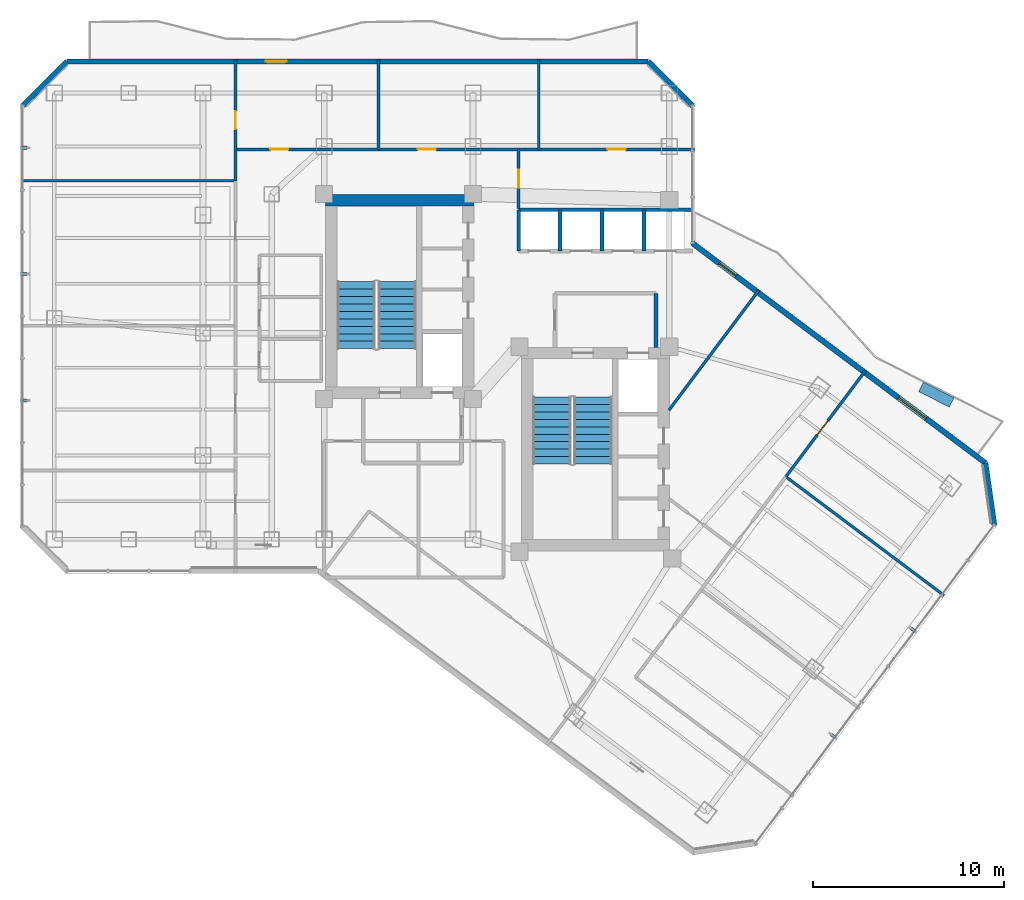
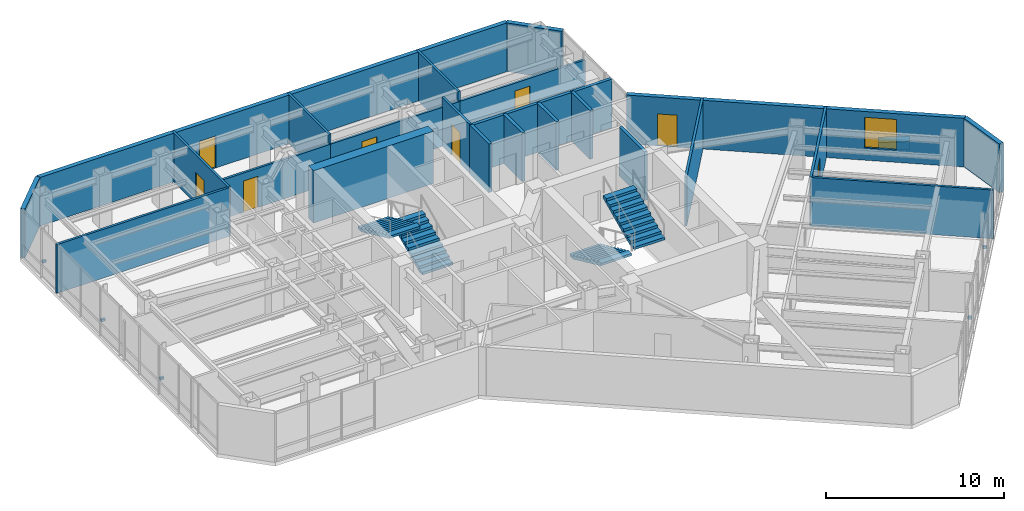
# One storey, part 24 of 28: 23 walls, 8 doors, 6 discrete accessories, 4 stair flights, 1 window, 9 openings, 2 elements without a shape of their own.
"""IFC4 building model written with IfcOpenShell, lengths in metres."""

from ifc_helpers import new_model, si_unit, direction, frame, frame_2d, origin, origin_2d, place, context, subcontext, project, spatial, polyline, rectangle, outline, extrude, material, layer, layer_set, type_object, element, fill, aggregate, save


model = new_model("IFC4")

# Units and contexts
model_context = context("Model", 3, precision=1e-05, world=origin(), true_north=direction((0.0, 1.0)))
body_context = subcontext(model_context, "Body", "Model", "MODEL_VIEW")
ifc_project = project(units=[si_unit("LENGTHUNIT", "METRE"), si_unit("AREAUNIT", "SQUARE_METRE"), si_unit("VOLUMEUNIT", "CUBIC_METRE"), si_unit("PLANEANGLEUNIT", "RADIAN"), si_unit("MASSUNIT", "GRAM", prefix="KILO")], contexts=[model_context])

# Site, building, storey
site_placement = place(None, origin())
site = spatial("IfcSite", under=ifc_project, at=site_placement, CompositionType="ELEMENT")
building_placement = place(site_placement, origin())
building = spatial("IfcBuilding", under=site, at=building_placement, Name="Hatsunagi Terrace Concourse", CompositionType="ELEMENT")
storey_placement = place(building_placement, frame((0.0, 0.0, 160.050048828125)))
storey = spatial("IfcBuildingStorey", under=building, at=storey_placement, Name="L42", CompositionType="ELEMENT", Elevation=160.050048828125)

# Walls
ifc_material_1 = material(Name="Concrete Fc48", Category="concrete")
ifc_layer_1 = layer(ifc_material_1, 0.60009765625)
ifc_layer_set_1 = layer_set([ifc_layer_1], Name="CoreShearWall_Fc48_600")
wall_type_1 = type_object("IfcWallType", Name="CoreShearWall_Fc48_600", PredefinedType="SHEAR", material=ifc_layer_set_1)
wall_1_placement = place(storey_placement, frame((25.6201171875, 42.969970703125, 0.0), z_axis=(0.0, 0.0, 1.0), x_axis=(1.0, 0.0, 0.0)))
element("IfcWall", 1, at=wall_1_placement, inside=storey, type_object=wall_type_1, Name="Core A Shear Wall N L42", PredefinedType="SHEAR", context=body_context, shape_type="SweptSolid", body=[
    extrude(rectangle(XDim=7.77978515625, YDim=0.60009765625, at=frame_2d((3.889892578125, 0.0))), origin(), (0.0, 0.0, 1.0), 3.599853515625),
])
ifc_material_2 = material(Name="Acoustic mineral board", Category="gypsum")
ifc_layer_2 = layer(ifc_material_2, 0.14990234375)
ifc_layer_set_2 = layer_set([ifc_layer_2], Name="PartitionWall_EI60_150")
wall_type_2 = type_object("IfcWallType", Name="PartitionWall_EI60_150", PredefinedType="PARTITIONING", material=ifc_layer_set_2)
wall_2_placement = place(storey_placement, frame((9.639892578125, 44.0, 0.0), z_axis=(0.0, 0.0, 1.0), x_axis=(1.0, 0.0, 0.0)))
element("IfcWall", 2, at=wall_2_placement, inside=storey, type_object=wall_type_2, Name="Interior Partition IW-L42-038", PredefinedType="PARTITIONING", context=body_context, shape_type="SweptSolid", body=[
    extrude(rectangle(XDim=11.260009765625, YDim=0.14990234375, at=frame_2d((5.6298828125, 0.0))), origin(), (0.0, 0.0, 1.0), 3.349853515625),
])

# Wall, opening, door
wall_3_placement = place(storey_placement, frame((20.89990234375, 44.0, 0.0), z_axis=(0.0, 0.0, 1.0), x_axis=(0.0, 1.0, 0.0)))
wall_3 = element("IfcWall", 3, at=wall_3_placement, inside=storey, type_object=wall_type_2, Name="Interior Partition IW-L42-040", PredefinedType="PARTITIONING", context=body_context, shape_type="SweptSolid", body=[
    extrude(rectangle(XDim=6.360107421875, YDim=0.14990234375, at=frame_2d((3.18017578125, 0.0))), origin(), (0.0, 0.0, 1.0), 3.349853515625),
])
opening_1_placement = place(wall_3_placement, frame((2.705078125, 0.0, 0.0)))
opening_1 = element("IfcOpeningElement", 4, at=opening_1_placement, cuts=wall_3, Name="Opening DR-095", PredefinedType="OPENING", context=body_context, shape_type="SweptSolid", body=[
    extrude(rectangle(XDim=0.949951171875, YDim=2.14990234375, at=frame_2d((0.47509765625, 1.074951171875))), frame((0.0, 0.0849609375, 0.0), z_axis=(0.0, -1.0, 0.0), x_axis=(1.0, 0.0, 0.0)), (0.0, 0.0, 1.0), 0.169921875),
])
ifc_material_3 = material(Name="Hardwood timber", Category="wood")
door_type_1 = type_object("IfcDoorType", Name="InteriorSuiteDoor_EI30_950", OperationType="NOTDEFINED", PredefinedType="DOOR", material=ifc_material_3)
door_1_placement = place(opening_1_placement, origin())
door_1 = element("IfcDoor", 5, at=door_1_placement, inside=storey, type_object=door_type_1, Name="Meeting Room L42-OW4 Door", OperationType="SINGLE_SWING_RIGHT", OverallHeight=2.14990234375, OverallWidth=0.949951171875, PredefinedType="DOOR", context=body_context, shape_type="SweptSolid", body=[
    extrude(rectangle(XDim=0.949951171875, YDim=2.14990234375, at=frame_2d((0.47509765625, 1.074951171875))), frame((0.0, 0.02490234375, 0.0), z_axis=(0.0, -1.0, 0.0), x_axis=(1.0, 0.0, 0.0)), (0.0, 0.0, 1.0), 0.050048828125),
])
fill(opening_1, door_1)

wall_4_placement = place(storey_placement, frame((20.89990234375, 45.64990234375, 0.0), z_axis=(0.0, 0.0, 1.0), x_axis=(1.0, 0.0, 0.0)))
wall_4 = element("IfcWall", 6, at=wall_4_placement, inside=storey, type_object=wall_type_2, Name="Interior Partition IW-L42-041", PredefinedType="PARTITIONING", context=body_context, shape_type="SweptSolid", body=[
    extrude(rectangle(XDim=7.5, YDim=0.14990234375, at=frame_2d((3.75, 0.0))), origin(), (0.0, 0.0, 1.0), 2.695068359375),
])
opening_2_placement = place(wall_4_placement, frame((1.826904296875, 0.0, 0.0)))
opening_2 = element("IfcOpeningElement", 7, at=opening_2_placement, cuts=wall_4, Name="Opening DR-095", PredefinedType="OPENING", context=body_context, shape_type="SweptSolid", body=[
    extrude(rectangle(XDim=0.949951171875, YDim=2.14990234375, at=frame_2d((0.47509765625, 1.074951171875))), frame((0.0, 0.0849609375, 0.0), z_axis=(0.0, -1.0, 0.0), x_axis=(1.0, 0.0, 0.0)), (0.0, 0.0, 1.0), 0.169921875),
])
door_2_placement = place(opening_2_placement, origin())
door_2 = element("IfcDoor", 8, at=door_2_placement, inside=storey, type_object=door_type_1, Name="Boardroom L42-ON1 Door", OperationType="SINGLE_SWING_LEFT", OverallHeight=2.14990234375, OverallWidth=0.949951171875, PredefinedType="DOOR", context=body_context, shape_type="SweptSolid", body=[
    extrude(rectangle(XDim=0.949951171875, YDim=2.14990234375, at=frame_2d((0.47509765625, 1.074951171875))), frame((0.0, 0.02490234375, 0.0), z_axis=(0.0, -1.0, 0.0), x_axis=(1.0, 0.0, 0.0)), (0.0, 0.0, 1.0), 0.050048828125),
])
fill(opening_2, door_2)

# Wall
wall_5_placement = place(storey_placement, frame((28.39990234375, 45.64990234375, 0.0), z_axis=(0.0, 0.0, 1.0), x_axis=(0.0, 1.0, 0.0)))
element("IfcWall", 9, at=wall_5_placement, inside=storey, type_object=wall_type_2, Name="Interior Partition IW-L42-042", PredefinedType="PARTITIONING", context=body_context, shape_type="SweptSolid", body=[
    extrude(rectangle(XDim=4.710205078125, YDim=0.14990234375, at=frame_2d((2.35498046875, 0.0))), origin(), (0.0, 0.0, 1.0), 3.349853515625),
])

# Wall, opening, door
wall_6_placement = place(storey_placement, frame((28.39990234375, 45.64990234375, 0.0), z_axis=(0.0, 0.0, 1.0), x_axis=(1.0, 0.0, 0.0)))
wall_6 = element("IfcWall", 10, at=wall_6_placement, inside=storey, type_object=wall_type_2, Name="Interior Partition IW-L42-043", PredefinedType="PARTITIONING", context=body_context, shape_type="SweptSolid", body=[
    extrude(rectangle(XDim=8.400146484375, YDim=0.14990234375, at=frame_2d((4.2001953125, 0.0))), origin(), (0.0, 0.0, 1.0), 2.695068359375),
])
opening_3_placement = place(wall_6_placement, frame((2.052001953125, 0.0, 0.0)))
opening_3 = element("IfcOpeningElement", 11, at=opening_3_placement, cuts=wall_6, Name="Opening DR-095", PredefinedType="OPENING", context=body_context, shape_type="SweptSolid", body=[
    extrude(rectangle(XDim=0.949951171875, YDim=2.14990234375, at=frame_2d((0.47509765625, 1.074951171875))), frame((0.0, 0.0849609375, 0.0), z_axis=(0.0, -1.0, 0.0), x_axis=(1.0, 0.0, 0.0)), (0.0, 0.0, 1.0), 0.169921875),
])
door_3_placement = place(opening_3_placement, origin())
door_3 = element("IfcDoor", 12, at=door_3_placement, inside=storey, type_object=door_type_1, Name="Collaboration Lounge L42-ON2 Door", OperationType="SINGLE_SWING_RIGHT", OverallHeight=2.14990234375, OverallWidth=0.949951171875, PredefinedType="DOOR", context=body_context, shape_type="SweptSolid", body=[
    extrude(rectangle(XDim=0.949951171875, YDim=2.14990234375, at=frame_2d((0.47509765625, 1.074951171875))), frame((0.0, 0.02490234375, 0.0), z_axis=(0.0, -1.0, 0.0), x_axis=(1.0, 0.0, 0.0)), (0.0, 0.0, 1.0), 0.050048828125),
])
fill(opening_3, door_3)

# Wall
wall_7_placement = place(storey_placement, frame((36.800048828125, 45.64990234375, 0.0), z_axis=(0.0, 0.0, 1.0), x_axis=(0.0, 1.0, 0.0)))
element("IfcWall", 13, at=wall_7_placement, inside=storey, type_object=wall_type_2, Name="Interior Partition IW-L42-044", PredefinedType="PARTITIONING", context=body_context, shape_type="SweptSolid", body=[
    extrude(rectangle(XDim=4.710205078125, YDim=0.14990234375, at=frame_2d((2.35498046875, 0.0))), origin(), (0.0, 0.0, 1.0), 3.349853515625),
])

# Wall, opening, door
wall_8_placement = place(storey_placement, frame((36.800048828125, 45.64990234375, 0.0), z_axis=(0.0, 0.0, 1.0), x_axis=(1.0, 0.0, 0.0)))
wall_8 = element("IfcWall", 14, at=wall_8_placement, inside=storey, type_object=wall_type_2, Name="Interior Partition IW-L42-045", PredefinedType="PARTITIONING", context=body_context, shape_type="SweptSolid", body=[
    extrude(rectangle(XDim=8.159912109375, YDim=0.14990234375, at=frame_2d((4.080078125, 0.0))), origin(), (0.0, 0.0, 1.0), 2.695068359375),
])
opening_4_placement = place(wall_8_placement, frame((3.60498046875, 0.0, 0.0)))
opening_4 = element("IfcOpeningElement", 15, at=opening_4_placement, cuts=wall_8, Name="Opening DR-095", PredefinedType="OPENING", context=body_context, shape_type="SweptSolid", body=[
    extrude(rectangle(XDim=0.949951171875, YDim=2.14990234375, at=frame_2d((0.47509765625, 1.074951171875))), frame((0.0, 0.0849609375, 0.0), z_axis=(0.0, -1.0, 0.0), x_axis=(1.0, 0.0, 0.0)), (0.0, 0.0, 1.0), 0.169921875),
])
door_4_placement = place(opening_4_placement, origin())
door_4 = element("IfcDoor", 16, at=door_4_placement, inside=storey, type_object=door_type_1, Name="Boardroom L42-ON3 Door", OperationType="SINGLE_SWING_RIGHT", OverallHeight=2.14990234375, OverallWidth=0.949951171875, PredefinedType="DOOR", context=body_context, shape_type="SweptSolid", body=[
    extrude(rectangle(XDim=0.949951171875, YDim=2.14990234375, at=frame_2d((0.47509765625, 1.074951171875))), frame((0.0, 0.02490234375, 0.0), z_axis=(0.0, -1.0, 0.0), x_axis=(1.0, 0.0, 0.0)), (0.0, 0.0, 1.0), 0.050048828125),
])
fill(opening_4, door_4)

# Wall
wall_9_placement = place(storey_placement, frame((49.760009765625, 28.47998046875, 0.0), z_axis=(0.0, 0.0, 1.0), x_axis=(0.8, -0.6, 0.0)))
element("IfcWall", 17, at=wall_9_placement, inside=storey, type_object=wall_type_2, Name="Interior Partition IW-L42-049", PredefinedType="PARTITIONING", context=body_context, shape_type="SweptSolid", body=[
    extrude(rectangle(XDim=10.360107421875, YDim=0.14990234375, at=frame_2d((5.18017578125, 0.0))), origin(), (0.0, 0.0, 1.0), 3.349853515625),
])

# Wall, opening, door
wall_10_placement = place(storey_placement, frame((49.760009765625, 28.47998046875, 0.0), z_axis=(0.0, 0.0, 1.0), x_axis=(0.599994387644, 0.800004209236, 0.0)))
wall_10 = element("IfcWall", 18, at=wall_10_placement, inside=storey, type_object=wall_type_2, Name="Interior Partition IW-L42-051", PredefinedType="PARTITIONING", context=body_context, shape_type="SweptSolid", body=[
    extrude(rectangle(XDim=6.960205078125, YDim=0.14990234375, at=frame_2d((3.47998046875, 0.0))), origin(), (0.0, 0.0, 1.0), 3.349853515625),
])
opening_5_placement = place(wall_10_placement, frame((2.742919921875, 0.0, 0.0)))
opening_5 = element("IfcOpeningElement", 19, at=opening_5_placement, cuts=wall_10, Name="Opening DR-095", PredefinedType="OPENING", context=body_context, shape_type="SweptSolid", body=[
    extrude(rectangle(XDim=0.949951171875, YDim=2.14990234375, at=frame_2d((0.47509765625, 1.074951171875))), frame((0.0, 0.0849609375, 0.0), z_axis=(0.0, -1.0, 0.0), x_axis=(1.0, 0.0, 0.0)), (0.0, 0.0, 1.0), 0.169921875),
])
door_5_placement = place(opening_5_placement, origin())
door_5 = element("IfcDoor", 20, at=door_5_placement, inside=storey, type_object=door_type_1, Name="Research Focus Suite L42-OSE3 Door", OperationType="SINGLE_SWING_RIGHT", OverallHeight=2.14990234375, OverallWidth=0.949951171875, PredefinedType="DOOR", context=body_context, shape_type="SweptSolid", body=[
    extrude(rectangle(XDim=0.949951171875, YDim=2.14990234375, at=frame_2d((0.47509765625, 1.074951171875))), frame((0.0, 0.02490234375, 0.0), z_axis=(0.0, -1.0, 0.0), x_axis=(1.0, 0.0, 0.0)), (0.0, 0.0, 1.0), 0.050048828125),
])
fill(opening_5, door_5)

# Wall
wall_11_placement = place(storey_placement, frame((43.6298828125, 31.972900390625, 0.0), z_axis=(0.0, 0.0, 1.0), x_axis=(0.599975099311, 0.800018674911, 0.0)))
element("IfcWall", 21, at=wall_11_placement, inside=storey, type_object=wall_type_2, Name="Interior Partition IW-L42-053", PredefinedType="PARTITIONING", context=body_context, shape_type="SweptSolid", body=[
    extrude(rectangle(XDim=7.84375, YDim=0.14990234375, at=frame_2d((3.921875, 0.0))), origin(), (0.0, 0.0, 1.0), 3.349853515625),
])

# Wall, opening, door
wall_12_placement = place(storey_placement, frame((35.75, 42.550048828125, 0.0), z_axis=(0.0, 0.0, 1.0), x_axis=(0.0, 1.0, 0.0)))
wall_12 = element("IfcWall", 22, at=wall_12_placement, inside=storey, type_object=wall_type_2, Name="Interior Partition IW-L42-054", PredefinedType="PARTITIONING", context=body_context, shape_type="SweptSolid", body=[
    extrude(rectangle(XDim=3.099853515625, YDim=0.14990234375, at=frame_2d((1.5498046875, 0.0))), origin(), (0.0, 0.0, 1.0), 3.349853515625),
])
opening_6_placement = place(wall_12_placement, frame((1.074951171875, 0.0, 0.0)))
opening_6 = element("IfcOpeningElement", 23, at=opening_6_placement, cuts=wall_12, Name="Opening DR-095", PredefinedType="OPENING", context=body_context, shape_type="SweptSolid", body=[
    extrude(rectangle(XDim=0.949951171875, YDim=2.14990234375, at=frame_2d((0.47509765625, 1.074951171875))), frame((0.0, 0.0849609375, 0.0), z_axis=(0.0, -1.0, 0.0), x_axis=(1.0, 0.0, 0.0)), (0.0, 0.0, 1.0), 0.169921875),
])
door_6_placement = place(opening_6_placement, origin())
door_6 = element("IfcDoor", 24, at=door_6_placement, inside=storey, type_object=door_type_1, Name="Executive Briefing Room L42-ONEB Door", OperationType="SINGLE_SWING_RIGHT", OverallHeight=2.14990234375, OverallWidth=0.949951171875, PredefinedType="DOOR", context=body_context, shape_type="SweptSolid", body=[
    extrude(rectangle(XDim=0.949951171875, YDim=2.14990234375, at=frame_2d((0.47509765625, 1.074951171875))), frame((0.0, 0.02490234375, 0.0), z_axis=(0.0, -1.0, 0.0), x_axis=(1.0, 0.0, 0.0)), (0.0, 0.0, 1.0), 0.050048828125),
])
fill(opening_6, door_6)

# Walls
ifc_material_4 = material(Name="Acoustic mineral board", Category="gypsum")
ifc_layer_3 = layer(ifc_material_4, 0.199951171875)
ifc_layer_set_3 = layer_set([ifc_layer_3], Name="ShaftWall_EI120_200")
wall_type_3 = type_object("IfcWallType", Name="ShaftWall_EI120_200", PredefinedType="STANDARD", material=ifc_layer_set_3)
wall_13_placement = place(storey_placement, frame((42.949951171875, 35.27001953125, 0.0), z_axis=(0.0, 0.0, 1.0), x_axis=(0.0, 1.0, 0.0)))
element("IfcWall", 25, at=wall_13_placement, inside=storey, type_object=wall_type_3, Name="Interior Partition IW-L42-011", PredefinedType="STANDARD", context=body_context, shape_type="SweptSolid", body=[
    extrude(rectangle(XDim=2.830078125, YDim=0.199951171875, at=frame_2d((1.4150390625, 0.0))), origin(), (0.0, 0.0, 1.0), 3.349853515625),
])
wall_14_placement = place(storey_placement, frame((35.75, 42.47998046875, 0.0), z_axis=(0.0, 0.0, 1.0), x_axis=(1.0, 0.0, 0.0)))
element("IfcWall", 26, at=wall_14_placement, inside=storey, type_object=wall_type_3, Name="Interior Partition IW-L42-013", PredefinedType="STANDARD", context=body_context, shape_type="SweptSolid", body=[
    extrude(rectangle(XDim=9.110107421875, YDim=0.199951171875, at=frame_2d((4.55517578125, 0.0))), origin(), (0.0, 0.0, 1.0), 3.349853515625),
])
for number, where, z_axis, x_axis, name in (
    (27, (35.75, 40.320068359375, 0.0), (0.0, 0.0, 1.0), (0.0, 1.0, 0.0), "Interior Partition IW-L42-014"),
    (28, (37.919921875, 40.320068359375, 0.0), (0.0, 0.0, 1.0), (0.0, 1.0, 0.0), "Interior Partition IW-L42-015"),
    (29, (40.1201171875, 40.320068359375, 0.0), (0.0, 0.0, 1.0), (0.0, 1.0, 0.0), "Interior Partition IW-L42-016"),
    (30, (42.320068359375, 40.320068359375, 0.0), (0.0, 0.0, 1.0), (0.0, 1.0, 0.0), "Interior Partition IW-L42-017"),
):
    element("IfcWall", number, at=place(storey_placement, frame(where, z_axis=z_axis, x_axis=x_axis)), inside=storey, type_object=wall_type_3, Name=name, PredefinedType="STANDARD", context=body_context, shape_type="SweptSolid", body=[
        extrude(rectangle(XDim=2.159912109375, YDim=0.199951171875, at=frame_2d((1.080078125, 0.0))), origin(), (0.0, 0.0, 1.0), 3.349853515625),
    ])

# Wall, openings, door, window
ifc_material_5 = material(Name="Autoclaved Lightweight Concrete and Terracotta Cladding", Category="masonry")
ifc_layer_4 = layer(ifc_material_5, 0.280029296875)
ifc_layer_set_4 = layer_set([ifc_layer_4], Name="TerracottaSpandrelWall_280")
wall_type_4 = type_object("IfcWallType", Name="TerracottaSpandrelWall_280", PredefinedType="STANDARD", material=ifc_layer_set_4)
wall_15_placement = place(storey_placement, frame((44.860107421875, 40.72998046875, 0.0), z_axis=(0.0, 0.0, 1.0), x_axis=(0.800007624502, -0.599989833863, 0.0)))
wall_15 = element("IfcWall", 31, at=wall_15_placement, inside=storey, type_object=wall_type_4, Name="Exterior Spandrel Wall EW-L42-01", PredefinedType="STANDARD", context=body_context, shape_type="SweptSolid", body=[
    extrude(rectangle(XDim=19.212158203125, YDim=0.280029296875, at=frame_2d((9.60595703125, 0.0))), origin(), (0.0, 0.0, 1.0), 3.349853515625),
])
opening_7_placement = place(wall_15_placement, frame((1.7548828125, 0.0, 0.0)))
opening_7 = element("IfcOpeningElement", 32, at=opening_7_placement, cuts=wall_15, Name="Opening BD-01", PredefinedType="OPENING", context=body_context, shape_type="SweptSolid", body=[
    extrude(rectangle(XDim=1.10009765625, YDim=2.199951171875, at=frame_2d((0.550048828125, 1.10009765625))), frame((0.0, 0.14990234375, 0.0), z_axis=(0.0, -1.0, 0.0), x_axis=(1.0, 0.0, 0.0)), (0.0, 0.0, 1.0), 0.300048828125),
])
opening_8_placement = place(wall_15_placement, frame((13.509033203125, 0.0, 0.85009765625)))
opening_8 = element("IfcOpeningElement", 33, at=opening_8_placement, cuts=wall_15, Name="Opening WIN-03", PredefinedType="OPENING", context=body_context, shape_type="SweptSolid", body=[
    extrude(rectangle(XDim=1.800048828125, YDim=2.10009765625, at=frame_2d((0.89990234375, 1.050048828125))), frame((0.0, 0.14990234375, 0.0), z_axis=(0.0, -1.0, 0.0), x_axis=(1.0, 0.0, 0.0)), (0.0, 0.0, 1.0), 0.300048828125),
])
ifc_material_6 = material(Name="Galvanised Steel and Laminated Safety Glass", Category="steel")
door_type_2 = type_object("IfcDoorType", Name="BalconyTerraceAccessDoor_1100x2200", OperationType="SINGLE_SWING_LEFT", PredefinedType="DOOR", material=ifc_material_6)
door_7_placement = place(opening_7_placement, origin())
door_7 = element("IfcDoor", 34, at=door_7_placement, inside=storey, type_object=door_type_2, Name="Engawa Balcony Door L42-BSE", OperationType="SINGLE_SWING_LEFT", OverallHeight=2.199951171875, OverallWidth=1.10009765625, PredefinedType="DOOR", context=body_context, shape_type="SweptSolid", body=[
    extrude(rectangle(XDim=1.10009765625, YDim=2.199951171875, at=frame_2d((0.550048828125, 1.10009765625))), frame((0.0, 0.02490234375, 0.0), z_axis=(0.0, -1.0, 0.0), x_axis=(1.0, 0.0, 0.0)), (0.0, 0.0, 1.0), 0.050048828125),
])
fill(opening_7, door_7)
ifc_material_7 = material(Name="Thermally Broken Aluminium and Low-E Triple Glazing", Category="aluminium")
window_type = type_object("IfcWindowType", Name="OfficeCornerFeatureWindow_1800x2100", PartitioningType="SINGLE_PANEL", PredefinedType="WINDOW", material=ifc_material_7)
window_placement = place(opening_8_placement, origin())
window = element("IfcWindow", 35, at=window_placement, inside=storey, type_object=window_type, Name="Balcony Daylighting Window L42-01-2", OverallHeight=2.10009765625, OverallWidth=1.800048828125, PartitioningType="SINGLE_PANEL", PredefinedType="WINDOW", context=body_context, shape_type="SweptSolid", body=[
    extrude(rectangle(XDim=1.800048828125, YDim=2.10009765625, at=frame_2d((0.89990234375, 1.050048828125))), frame((0.0, 0.030029296875, 0.0), z_axis=(0.0, -1.0, 0.0), x_axis=(1.0, 0.0, 0.0)), (0.0, 0.0, 1.0), 0.06005859375),
])
fill(opening_8, window)

# Walls
wall_16_placement = place(storey_placement, frame((60.22998046875, 29.202880859375, 0.0), z_axis=(0.0, 0.0, 1.0), x_axis=(0.141296221922, -0.989967361922, 0.0)))
element("IfcWall", 36, at=wall_16_placement, inside=storey, type_object=wall_type_4, Name="Exterior Spandrel Wall EW-L42-02", PredefinedType="STANDARD", context=body_context, shape_type="SweptSolid", body=[
    extrude(rectangle(XDim=3.27783203125, YDim=0.280029296875, at=frame_2d((1.638916015625, 0.0))), origin(), (0.0, 0.0, 1.0), 3.349853515625),
])
wall_17_placement = place(storey_placement, frame((9.739990234375, 47.94189453125, 0.0), z_axis=(0.0, 0.0, 1.0), x_axis=(0.707106781187, 0.707106781187, 0.0)))
element("IfcWall", 37, at=wall_17_placement, inside=storey, type_object=wall_type_4, Name="Exterior Spandrel Wall EW-L42-10", PredefinedType="STANDARD", context=body_context, shape_type="SweptSolid", body=[
    extrude(rectangle(XDim=3.2783203125, YDim=0.280029296875, at=frame_2d((1.63916015625, 0.0))), origin(), (0.0, 0.0, 1.0), 3.349853515625),
])

# Wall, opening, door
wall_18_placement = place(storey_placement, frame((12.05810546875, 50.260009765625, 0.0), z_axis=(0.0, 0.0, 1.0), x_axis=(1.0, 0.0, 0.0)))
wall_18 = element("IfcWall", 38, at=wall_18_placement, inside=storey, type_object=wall_type_4, Name="Exterior Spandrel Wall EW-L42-11", PredefinedType="STANDARD", context=body_context, shape_type="SweptSolid", body=[
    extrude(rectangle(XDim=30.48388671875, YDim=0.280029296875, at=frame_2d((15.241943359375, 0.0))), origin(), (0.0, 0.0, 1.0), 3.349853515625),
])
opening_9_placement = place(wall_18_placement, frame((10.424072265625, 0.0, 0.0)))
opening_9 = element("IfcOpeningElement", 39, at=opening_9_placement, cuts=wall_18, Name="Opening BD-01", PredefinedType="OPENING", context=body_context, shape_type="SweptSolid", body=[
    extrude(rectangle(XDim=1.10009765625, YDim=2.199951171875, at=frame_2d((0.550048828125, 1.10009765625))), frame((0.0, 0.14990234375, 0.0), z_axis=(0.0, -1.0, 0.0), x_axis=(1.0, 0.0, 0.0)), (0.0, 0.0, 1.0), 0.300048828125),
])
door_8_placement = place(opening_9_placement, origin())
door_8 = element("IfcDoor", 40, at=door_8_placement, inside=storey, type_object=door_type_2, Name="Engawa Balcony Door L42-BN", OperationType="SINGLE_SWING_RIGHT", OverallHeight=2.199951171875, OverallWidth=1.10009765625, PredefinedType="DOOR", context=body_context, shape_type="SweptSolid", body=[
    extrude(rectangle(XDim=1.10009765625, YDim=2.199951171875, at=frame_2d((0.550048828125, 1.10009765625))), frame((0.0, 0.02490234375, 0.0), z_axis=(0.0, -1.0, 0.0), x_axis=(1.0, 0.0, 0.0)), (0.0, 0.0, 1.0), 0.050048828125),
])
fill(opening_9, door_8)

# Wall
wall_19_placement = place(storey_placement, frame((42.5419921875, 50.260009765625, 0.0), z_axis=(0.0, 0.0, 1.0), x_axis=(0.707106781187, -0.707106781187, 0.0)))
element("IfcWall", 41, at=wall_19_placement, inside=storey, type_object=wall_type_4, Name="Exterior Spandrel Wall EW-L42-12", PredefinedType="STANDARD", context=body_context, shape_type="SweptSolid", body=[
    extrude(rectangle(XDim=3.2783203125, YDim=0.280029296875, at=frame_2d((1.63916015625, 0.0))), origin(), (0.0, 0.0, 1.0), 3.349853515625),
])

# Stair, stair flights
ifc_material_8 = material(Name="Concrete Fc42", Category="concrete")
stair_type = type_object("IfcStairType", Name="DoglegExitStair_Tower2000_20R_180", PredefinedType="HALF_TURN_STAIR", material=ifc_material_8)
stair_1_placement = place(storey_placement, origin())
stair_1 = element("IfcStair", 42, at=stair_1_placement, inside=storey, type_object=stair_type, Name="L42 Core A Protected Exit Stair ST-A", PredefinedType="HALF_TURN_STAIR")
ifc_material_9 = material(Name="Concrete Fc42", Category="concrete")
stair_flight_type = type_object("IfcStairFlightType", Name="DoglegStairFlight_Tower2000_20R_180", PredefinedType="STRAIGHT", material=ifc_material_9)
stair_flight_1_placement = place(storey_placement, frame((29.3798828125, 35.199951171875, 0.0), z_axis=(0.0, 0.0, 1.0), x_axis=(0.0, 1.0, 0.0)))
stair_flight_1 = element("IfcStairFlight", 43, at=stair_flight_1_placement, type_object=stair_flight_type, Name="ST-A flight 1", NumberOfRisers=10, NumberOfTreads=9, PredefinedType="STRAIGHT", RiserHeight=0.18, TreadLength=0.39, context=body_context, shape_type="SweptSolid", body=[
    extrude(outline(polyline([(0.0, 0.0), (0.0, 0.179931640625), (0.389892578125, 0.179931640625), (0.389892578125, 0.360107421875), (0.780029296875, 0.360107421875), (0.780029296875, 0.5400390625), (1.169921875, 0.5400390625), (1.169921875, 0.719970703125), (1.56005859375, 0.719970703125), (1.56005859375, 0.89990234375), (1.949951171875, 0.89990234375), (1.949951171875, 1.080078125), (2.340087890625, 1.080078125), (2.340087890625, 1.260009765625), (2.72998046875, 1.260009765625), (2.72998046875, 1.43994140625), (3.1201171875, 1.43994140625), (3.1201171875, 1.6201171875), (3.510009765625, 1.6201171875), (3.510009765625, 1.800048828125), (3.510009765625, 1.454833984375), (0.357666015625, 0.0), (0.0, 0.0)])), frame((0.0, 1.0, 0.0), z_axis=(0.0, -1.0, 0.0), x_axis=(1.0, 0.0, 0.0)), (0.0, 0.0, 1.0), 2.0),
])
stair_flight_2_placement = place(storey_placement, frame((27.22998046875, 38.7099609375, 1.800048828125), z_axis=(0.0, 0.0, 1.0), x_axis=(0.0, -1.0, 0.0)))
stair_flight_2 = element("IfcStairFlight", 44, at=stair_flight_2_placement, type_object=stair_flight_type, Name="ST-A flight 2", NumberOfRisers=10, NumberOfTreads=9, PredefinedType="STRAIGHT", RiserHeight=0.18, TreadLength=0.39, context=body_context, shape_type="SweptSolid", body=[
    extrude(outline(polyline([(0.0, 0.0), (0.0, 0.179931640625), (0.389892578125, 0.179931640625), (0.389892578125, 0.360107421875), (0.780029296875, 0.360107421875), (0.780029296875, 0.5400390625), (1.169921875, 0.5400390625), (1.169921875, 0.719970703125), (1.56005859375, 0.719970703125), (1.56005859375, 0.89990234375), (1.949951171875, 0.89990234375), (1.949951171875, 1.080078125), (2.340087890625, 1.080078125), (2.340087890625, 1.260009765625), (2.72998046875, 1.260009765625), (2.72998046875, 1.43994140625), (3.1201171875, 1.43994140625), (3.1201171875, 1.6201171875), (3.510009765625, 1.6201171875), (3.510009765625, 1.800048828125), (3.510009765625, 1.454833984375), (0.357666015625, 0.0), (0.0, 0.0)])), frame((0.0, 1.0, 0.0), z_axis=(0.0, -1.0, 0.0), x_axis=(1.0, 0.0, 0.0)), (0.0, 0.0, 1.0), 2.0),
])
aggregate(stair_1, [stair_flight_1, stair_flight_2])

stair_2_placement = place(storey_placement, origin())
stair_2 = element("IfcStair", 45, at=stair_2_placement, inside=storey, type_object=stair_type, Name="L42 Core B Protected Exit Stair ST-B", PredefinedType="HALF_TURN_STAIR")
stair_flight_3_placement = place(storey_placement, frame((37.5, 32.659912109375, 0.0), z_axis=(0.0, 0.0, 1.0), x_axis=(0.0, -1.0, 0.0)))
stair_flight_3 = element("IfcStairFlight", 46, at=stair_flight_3_placement, type_object=stair_flight_type, Name="ST-B flight 1", NumberOfRisers=10, NumberOfTreads=9, PredefinedType="STRAIGHT", RiserHeight=0.18, TreadLength=0.39, context=body_context, shape_type="SweptSolid", body=[
    extrude(outline(polyline([(0.0, 0.0), (0.0, 0.179931640625), (0.389892578125, 0.179931640625), (0.389892578125, 0.360107421875), (0.780029296875, 0.360107421875), (0.780029296875, 0.5400390625), (1.169921875, 0.5400390625), (1.169921875, 0.719970703125), (1.56005859375, 0.719970703125), (1.56005859375, 0.89990234375), (1.949951171875, 0.89990234375), (1.949951171875, 1.080078125), (2.340087890625, 1.080078125), (2.340087890625, 1.260009765625), (2.72998046875, 1.260009765625), (2.72998046875, 1.43994140625), (3.1201171875, 1.43994140625), (3.1201171875, 1.6201171875), (3.510009765625, 1.6201171875), (3.510009765625, 1.800048828125), (3.510009765625, 1.454833984375), (0.357666015625, 0.0), (0.0, 0.0)])), frame((0.0, 1.0, 0.0), z_axis=(0.0, -1.0, 0.0), x_axis=(1.0, 0.0, 0.0)), (0.0, 0.0, 1.0), 2.0),
])
stair_flight_4_placement = place(storey_placement, frame((39.64990234375, 29.14990234375, 1.800048828125), z_axis=(0.0, 0.0, 1.0), x_axis=(0.0, 1.0, 0.0)))
stair_flight_4 = element("IfcStairFlight", 47, at=stair_flight_4_placement, type_object=stair_flight_type, Name="ST-B flight 2", NumberOfRisers=10, NumberOfTreads=9, PredefinedType="STRAIGHT", RiserHeight=0.18, TreadLength=0.39, context=body_context, shape_type="SweptSolid", body=[
    extrude(outline(polyline([(0.0, 0.0), (0.0, 0.179931640625), (0.389892578125, 0.179931640625), (0.389892578125, 0.360107421875), (0.780029296875, 0.360107421875), (0.780029296875, 0.5400390625), (1.169921875, 0.5400390625), (1.169921875, 0.719970703125), (1.56005859375, 0.719970703125), (1.56005859375, 0.89990234375), (1.949951171875, 0.89990234375), (1.949951171875, 1.080078125), (2.340087890625, 1.080078125), (2.340087890625, 1.260009765625), (2.72998046875, 1.260009765625), (2.72998046875, 1.43994140625), (3.1201171875, 1.43994140625), (3.1201171875, 1.6201171875), (3.510009765625, 1.6201171875), (3.510009765625, 1.800048828125), (3.510009765625, 1.454833984375), (0.357666015625, 0.0), (0.0, 0.0)])), frame((0.0, 1.0, 0.0), z_axis=(0.0, -1.0, 0.0), x_axis=(1.0, 0.0, 0.0)), (0.0, 0.0, 1.0), 2.0),
])
aggregate(stair_2, [stair_flight_3, stair_flight_4])

# Discrete accessories
ifc_material_10 = material(Name="Stainless Steel SUS316 Bracket", Category="steel")
discrete_accessory_type_1 = type_object("IfcDiscreteAccessoryType", Name="FacadeScreenSupportBracket_SS", PredefinedType="BRACKET", material=ifc_material_10)
for number, where, z_axis, x_axis, name in (
    (48, (56.427978515625, 20.455078125, 0.97021484375), (0.0, 0.0, 1.0), (-0.599969314634, -0.800023013105, 0.0), "Terracotta Screen Bracket BRK-01"),
    (49, (52.251953125, 14.885009765625, 0.97021484375), (0.0, 0.0, 1.0), (-0.599969314634, -0.800023013105, 0.0), "Terracotta Screen Bracket BRK-01"),
    (50, (9.85009765625, 32.48291015625, 0.97021484375), (0.0, 0.0, 1.0), (0.0, 1.0, 0.0), "Terracotta Screen Bracket BRK-01"),
    (51, (9.85009765625, 39.10791015625, 0.97021484375), (0.0, 0.0, 1.0), (0.0, 1.0, 0.0), "Terracotta Screen Bracket BRK-01"),
    (52, (9.85009765625, 45.73388671875, 0.97021484375), (0.0, 0.0, 1.0), (0.0, 1.0, 0.0), "Terracotta Screen Bracket BRK-01"),
):
    element("IfcDiscreteAccessory", number, at=place(storey_placement, frame(where, z_axis=z_axis, x_axis=x_axis)), inside=storey, type_object=discrete_accessory_type_1, Name=name, PredefinedType="BRACKET", context=body_context, shape_type="SweptSolid", body=[
        extrude(rectangle(XDim=0.159912109375, YDim=0.239990234375, at=origin_2d()), origin(), (0.0, 0.0, 1.0), 0.159912109375),
    ])
ifc_material_11 = material(Name="Architectural Precast Terracotta Planter", Category="masonry")
discrete_accessory_type_2 = type_object("IfcDiscreteAccessoryType", Name="SkyGardenPlanterEdge_450", PredefinedType="USERDEFINED", material=ifc_material_11)
discrete_accessory_placement = place(storey_placement, frame((57.652099609375, 32.785888671875, 0.0), z_axis=(0.0, 0.0, 1.0), x_axis=(0.89167115123, -0.452683728518, 0.0)))
element("IfcDiscreteAccessory", 53, at=discrete_accessory_placement, inside=storey, type_object=discrete_accessory_type_2, Name="Balcony Greenery Planter L42-BSE", ObjectType="PLANTER", PredefinedType="USERDEFINED", context=body_context, shape_type="SweptSolid", body=[
    extrude(rectangle(XDim=1.800048828125, YDim=0.550048828125, at=origin_2d()), origin(), (0.0, 0.0, 1.0), 0.550048828125),
])

save(model, "model.ifc")
